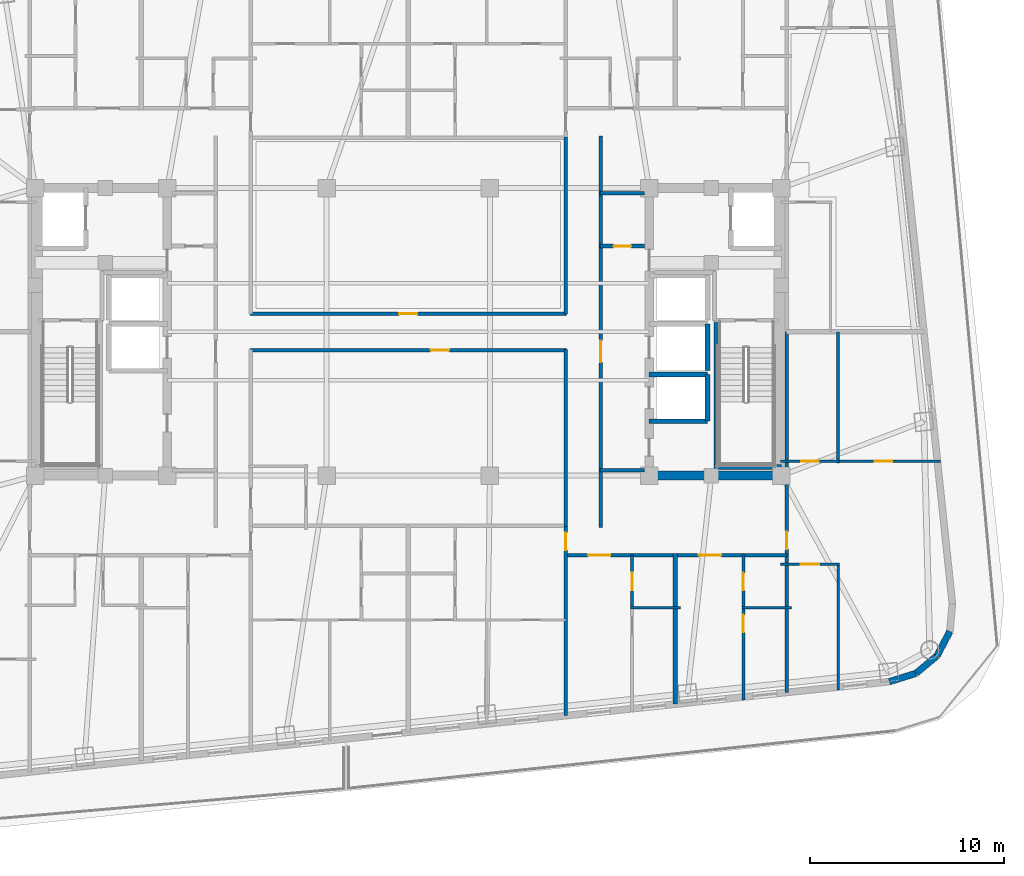
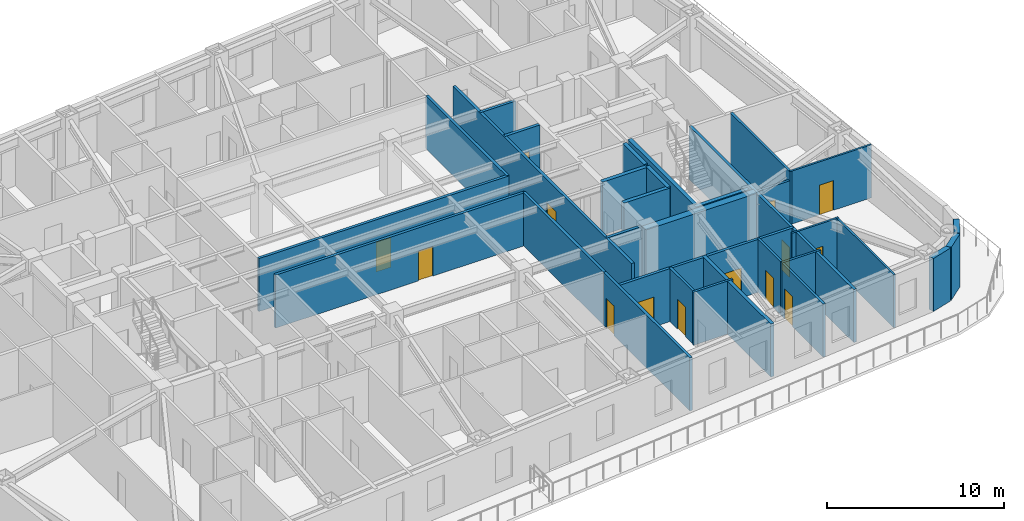
# One storey, part 6 of 15: 32 walls, 14 doors, 14 openings.
"""IFC4 building model written with IfcOpenShell, lengths in metres."""

from ifc_helpers import new_model, si_unit, direction, frame, frame_2d, origin, place, context, subcontext, project, spatial, rectangle, extrude, material, layer, layer_set, type_object, element, fill, save


model = new_model("IFC4")

# Units and contexts
model_context = context("Model", 3, precision=1e-05, world=origin(), true_north=direction((0.0, 1.0)))
body_context = subcontext(model_context, "Body", "Model", "MODEL_VIEW")
ifc_project = project(units=[si_unit("LENGTHUNIT", "METRE"), si_unit("AREAUNIT", "SQUARE_METRE"), si_unit("VOLUMEUNIT", "CUBIC_METRE"), si_unit("PLANEANGLEUNIT", "RADIAN"), si_unit("MASSUNIT", "GRAM", prefix="KILO")], contexts=[model_context])

# Site, building, storey
site_placement = place(None, origin())
site = spatial("IfcSite", under=ifc_project, at=site_placement, CompositionType="ELEMENT")
building_placement = place(site_placement, origin())
building = spatial("IfcBuilding", under=site, at=building_placement, Name="Voryun Gate Residences", CompositionType="ELEMENT")
storey_placement = place(building_placement, frame((0.0, 0.0, 171.60009765625)))
storey = spatial("IfcBuildingStorey", under=building, at=storey_placement, Name="L42", CompositionType="ELEMENT", Elevation=171.60009765625)

# Walls
ifc_material_1 = material(Name="Concrete C50/60", Category="concrete")
ifc_layer_1 = layer(ifc_material_1, 0.449951171875, Name="CW_CORE_450")
ifc_layer_set_1 = layer_set([ifc_layer_1], Name="Concrete C50/60")
wall_type_1 = type_object("IfcWallType", Name="CW_CORE_450", PredefinedType="SHEAR", material=ifc_layer_set_1)
wall_1_placement = place(storey_placement, frame((12.175048828125, -7.39990234375, 0.0), z_axis=(0.0, 0.0, 1.0), x_axis=(1.0, 0.0, 0.0)))
element("IfcWall", 1, at=wall_1_placement, inside=storey, type_object=wall_type_1, Name="L42 Core shear wall CW-L42-ES", PredefinedType="SHEAR", context=body_context, shape_type="SweptSolid", body=[
    extrude(rectangle(XDim=7.25, YDim=0.449951171875, at=frame_2d((3.625, 0.0))), origin(), (0.0, 0.0, 1.0), 3.64990234375),
])
ifc_material_2 = material(Name="Gypsum acoustic fireboard")
ifc_layer_2 = layer(ifc_material_2, 0.179931640625, Name="W_CORR_RATED_180")
ifc_layer_set_2 = layer_set([ifc_layer_2], Name="Gypsum acoustic fireboard")
wall_type_2 = type_object("IfcWallType", Name="W_CORR_RATED_180", PredefinedType="PARTITIONING", material=ifc_layer_set_2)
for number, where, z_axis, x_axis, name in (
    (2, (9.8798828125, 7.1201171875, 0.0), (0.0, 0.0, 1.0), (1.0, 0.0, 0.0), "Partition wall WP-L42-PLBN-E"),
    (3, (9.8798828125, -7.1201171875, 0.0), (0.0, 0.0, 1.0), (1.0, 0.0, 0.0), "Partition wall WP-L42-PLBS-E"),
):
    element("IfcWall", number, at=place(storey_placement, frame(where, z_axis=z_axis, x_axis=x_axis)), inside=storey, type_object=wall_type_2, Name=name, PredefinedType="PARTITIONING", context=body_context, shape_type="SweptSolid", body=[
        extrude(rectangle(XDim=2.27001953125, YDim=0.179931640625, at=frame_2d((1.135009765625, 0.0))), origin(), (0.0, 0.0, 1.0), 3.64990234375),
    ])

# Wall, opening, door
wall_2_placement = place(storey_placement, frame((9.89990234375, -10.080078125, 0.0), z_axis=(0.0, 0.0, 1.0), x_axis=(0.0, 1.0, 0.0)))
wall_2 = element("IfcWall", 4, at=wall_2_placement, inside=storey, type_object=wall_type_2, Name="Partition wall WP-L42-PLBE-FULL", PredefinedType="PARTITIONING", context=body_context, shape_type="SweptSolid", body=[
    extrude(rectangle(XDim=20.16015625, YDim=0.179931640625, at=frame_2d((10.080078125, 0.0))), origin(), (0.0, 0.0, 1.0), 3.64990234375),
])
opening_1_placement = place(wall_2_placement, frame((8.52197265625, 0.0, 0.0)))
opening_1 = element("IfcOpeningElement", 5, at=opening_1_placement, cuts=wall_2, Name="Opening D-FD60-2", PredefinedType="OPENING", context=body_context, shape_type="SweptSolid", body=[
    extrude(rectangle(XDim=1.10009765625, YDim=2.050048828125, at=frame_2d((0.550048828125, 1.02490234375))), frame((0.0, 0.099853515625, 0.0), z_axis=(0.0, -1.0, 0.0), x_axis=(1.0, 0.0, 0.0)), (0.0, 0.0, 1.0), 0.199951171875),
])
ifc_material_3 = material(Name="Painted steel fire door", Category="steel")
door_type_1 = type_object("IfcDoorType", Name="DR_FD60_FFLOB_1100", OperationType="NOTDEFINED", PredefinedType="DOOR", material=ifc_material_3)
door_1_placement = place(opening_1_placement, origin())
door_1 = element("IfcDoor", 6, at=door_1_placement, inside=storey, type_object=door_type_1, Name="Door DR-L42-PLBE-COR", OperationType="SINGLE_SWING_RIGHT", OverallHeight=2.050048828125, OverallWidth=1.10009765625, PredefinedType="DOOR", context=body_context, shape_type="SweptSolid", body=[
    extrude(rectangle(XDim=1.10009765625, YDim=2.050048828125, at=frame_2d((0.550048828125, 1.02490234375))), frame((0.0, 0.02490234375, 0.0), z_axis=(0.0, -1.0, 0.0), x_axis=(1.0, 0.0, 0.0)), (0.0, 0.0, 1.0), 0.050048828125),
])
fill(opening_1, door_1)

wall_3_placement = place(storey_placement, frame((-8.14990234375, 0.93994140625, 0.0), z_axis=(0.0, 0.0, 1.0), x_axis=(1.0, 0.0, 0.0)))
wall_3 = element("IfcWall", 7, at=wall_3_placement, inside=storey, type_object=wall_type_2, Name="Partition wall WP-L42-Z2HN", PredefinedType="PARTITIONING", context=body_context, shape_type="SweptSolid", body=[
    extrude(rectangle(XDim=16.2998046875, YDim=0.179931640625, at=frame_2d((8.14990234375, 0.0))), origin(), (0.0, 0.0, 1.0), 3.64990234375),
])
opening_2_placement = place(wall_3_placement, frame((7.675048828125, 0.0, 0.0)))
opening_2 = element("IfcOpeningElement", 8, at=opening_2_placement, cuts=wall_3, Name="Opening D-INT-1", PredefinedType="OPENING", context=body_context, shape_type="SweptSolid", body=[
    extrude(rectangle(XDim=0.949951171875, YDim=2.050048828125, at=frame_2d((0.47509765625, 1.02490234375))), frame((0.0, 0.099853515625, 0.0), z_axis=(0.0, -1.0, 0.0), x_axis=(1.0, 0.0, 0.0)), (0.0, 0.0, 1.0), 0.199951171875),
])
ifc_material_4 = material(Name="Architectural oak veneer")
door_type_2 = type_object("IfcDoorType", Name="DR_INT_ROOM_950", OperationType="NOTDEFINED", PredefinedType="DOOR", material=ifc_material_4)
door_2_placement = place(opening_2_placement, origin())
door_2 = element("IfcDoor", 9, at=door_2_placement, inside=storey, type_object=door_type_2, Name="Door DR-L42-Z2NH", OperationType="SINGLE_SWING_LEFT", OverallHeight=2.050048828125, OverallWidth=0.949951171875, PredefinedType="DOOR", context=body_context, shape_type="SweptSolid", body=[
    extrude(rectangle(XDim=0.949951171875, YDim=2.050048828125, at=frame_2d((0.47509765625, 1.02490234375))), frame((0.0, 0.02490234375, 0.0), z_axis=(0.0, -1.0, 0.0), x_axis=(1.0, 0.0, 0.0)), (0.0, 0.0, 1.0), 0.050048828125),
])
fill(opening_2, door_2)

wall_4_placement = place(storey_placement, frame((-8.14990234375, -0.93994140625, 0.0), z_axis=(0.0, 0.0, 1.0), x_axis=(1.0, 0.0, 0.0)))
wall_4 = element("IfcWall", 10, at=wall_4_placement, inside=storey, type_object=wall_type_2, Name="Partition wall WP-L42-Z2HS", PredefinedType="PARTITIONING", context=body_context, shape_type="SweptSolid", body=[
    extrude(rectangle(XDim=16.2998046875, YDim=0.179931640625, at=frame_2d((8.14990234375, 0.0))), origin(), (0.0, 0.0, 1.0), 3.64990234375),
])
opening_3_placement = place(wall_4_placement, frame((9.304931640625, 0.0, 0.0)))
opening_3 = element("IfcOpeningElement", 11, at=opening_3_placement, cuts=wall_4, Name="Opening D-INT-1", PredefinedType="OPENING", context=body_context, shape_type="SweptSolid", body=[
    extrude(rectangle(XDim=0.949951171875, YDim=2.050048828125, at=frame_2d((0.47509765625, 1.02490234375))), frame((0.0, 0.099853515625, 0.0), z_axis=(0.0, -1.0, 0.0), x_axis=(1.0, 0.0, 0.0)), (0.0, 0.0, 1.0), 0.199951171875),
])
door_3_placement = place(opening_3_placement, origin())
door_3 = element("IfcDoor", 12, at=door_3_placement, inside=storey, type_object=door_type_2, Name="Door DR-L42-Z2SH", OperationType="SINGLE_SWING_RIGHT", OverallHeight=2.050048828125, OverallWidth=0.949951171875, PredefinedType="DOOR", context=body_context, shape_type="SweptSolid", body=[
    extrude(rectangle(XDim=0.949951171875, YDim=2.050048828125, at=frame_2d((0.47509765625, 1.02490234375))), frame((0.0, 0.02490234375, 0.0), z_axis=(0.0, -1.0, 0.0), x_axis=(1.0, 0.0, 0.0)), (0.0, 0.0, 1.0), 0.050048828125),
])
fill(opening_3, door_3)

# Walls
for number, where, z_axis, x_axis, name in (
    (13, (8.10009765625, 0.919921875, 0.0), (0.0, 0.0, 1.0), (0.0, 1.0, 0.0), "Partition wall WP-L42-Z2ER1"),
    (14, (8.10009765625, -10.030029296875, 0.0), (0.0, 0.0, 1.0), (0.0, 1.0, 0.0), "Partition wall WP-L42-Z2ER2"),
):
    element("IfcWall", number, at=place(storey_placement, frame(where, z_axis=z_axis, x_axis=x_axis)), inside=storey, type_object=wall_type_2, Name=name, PredefinedType="PARTITIONING", context=body_context, shape_type="SweptSolid", body=[
        extrude(rectangle(XDim=9.110107421875, YDim=0.179931640625, at=frame_2d((4.55517578125, 0.0))), origin(), (0.0, 0.0, 1.0), 3.64990234375),
    ])

# Wall, openings, doors
wall_5_placement = place(storey_placement, frame((8.080078125, -11.5, 0.0), z_axis=(0.0, 0.0, 1.0), x_axis=(1.0, 0.0, 0.0)))
wall_5 = element("IfcWall", 15, at=wall_5_placement, inside=storey, type_object=wall_type_2, Name="Partition wall WP-L42-SCORR-E", PredefinedType="PARTITIONING", context=body_context, shape_type="SweptSolid", body=[
    extrude(rectangle(XDim=11.419921875, YDim=0.179931640625, at=frame_2d((5.7099609375, 0.0))), origin(), (0.0, 0.0, 1.0), 3.64990234375),
])
opening_4_placement = place(wall_5_placement, frame((1.174560546875, 0.0, 0.0)))
opening_4 = element("IfcOpeningElement", 16, at=opening_4_placement, cuts=wall_5, Name="Opening D-UNIT-1", PredefinedType="OPENING", context=body_context, shape_type="SweptSolid", body=[
    extrude(rectangle(XDim=1.14990234375, YDim=2.050048828125, at=frame_2d((0.574951171875, 1.02490234375))), frame((0.0, 0.099853515625, 0.0), z_axis=(0.0, -1.0, 0.0), x_axis=(1.0, 0.0, 0.0)), (0.0, 0.0, 1.0), 0.199951171875),
])
opening_5_placement = place(wall_5_placement, frame((6.86962890625, 0.0, 0.0)))
opening_5 = element("IfcOpeningElement", 17, at=opening_5_placement, cuts=wall_5, Name="Opening D-UNIT-1", PredefinedType="OPENING", context=body_context, shape_type="SweptSolid", body=[
    extrude(rectangle(XDim=1.14990234375, YDim=2.050048828125, at=frame_2d((0.574951171875, 1.02490234375))), frame((0.0, 0.099853515625, 0.0), z_axis=(0.0, -1.0, 0.0), x_axis=(1.0, 0.0, 0.0)), (0.0, 0.0, 1.0), 0.199951171875),
])
ifc_material_5 = material(Name="Armoured timber-clad fire door", Category="wood")
door_type_3 = type_object("IfcDoorType", Name="DR_UNIT_ENTRY_1150", OperationType="NOTDEFINED", PredefinedType="DOOR", material=ifc_material_5)
door_4_placement = place(opening_4_placement, origin())
door_4 = element("IfcDoor", 18, at=door_4_placement, inside=storey, type_object=door_type_3, Name="Door DR-L42-SENT-4", OperationType="SINGLE_SWING_LEFT", OverallHeight=2.050048828125, OverallWidth=1.14990234375, PredefinedType="DOOR", context=body_context, shape_type="SweptSolid", body=[
    extrude(rectangle(XDim=1.14990234375, YDim=2.050048828125, at=frame_2d((0.574951171875, 1.02490234375))), frame((0.0, 0.02490234375, 0.0), z_axis=(0.0, -1.0, 0.0), x_axis=(1.0, 0.0, 0.0)), (0.0, 0.0, 1.0), 0.050048828125),
])
fill(opening_4, door_4)
door_5_placement = place(opening_5_placement, origin())
door_5 = element("IfcDoor", 19, at=door_5_placement, inside=storey, type_object=door_type_3, Name="Door DR-L42-SENT-5", OperationType="SINGLE_SWING_RIGHT", OverallHeight=2.050048828125, OverallWidth=1.14990234375, PredefinedType="DOOR", context=body_context, shape_type="SweptSolid", body=[
    extrude(rectangle(XDim=1.14990234375, YDim=2.050048828125, at=frame_2d((0.574951171875, 1.02490234375))), frame((0.0, 0.02490234375, 0.0), z_axis=(0.0, -1.0, 0.0), x_axis=(1.0, 0.0, 0.0)), (0.0, 0.0, 1.0), 0.050048828125),
])
fill(opening_5, door_5)

# Wall, opening, door
wall_6_placement = place(storey_placement, frame((8.10009765625, -19.75390625, 0.0), z_axis=(0.0, 0.0, 1.0), x_axis=(0.0, 1.0, 0.0)))
wall_6 = element("IfcWall", 20, at=wall_6_placement, inside=storey, type_object=wall_type_2, Name="Partition wall WP-L42-SZV-2", PredefinedType="PARTITIONING", context=body_context, shape_type="SweptSolid", body=[
    extrude(rectangle(XDim=9.763916015625, YDim=0.179931640625, at=frame_2d((4.8818359375, 0.0))), origin(), (0.0, 0.0, 1.0), 3.64990234375),
])
opening_6_placement = place(wall_6_placement, frame((8.51416015625, 0.0, 0.0)))
opening_6 = element("IfcOpeningElement", 21, at=opening_6_placement, cuts=wall_6, Name="Opening D-INT-2", PredefinedType="OPENING", context=body_context, shape_type="SweptSolid", body=[
    extrude(rectangle(XDim=0.89990234375, YDim=2.050048828125, at=frame_2d((0.449951171875, 1.02490234375))), frame((0.0, 0.099853515625, 0.0), z_axis=(0.0, -1.0, 0.0), x_axis=(1.0, 0.0, 0.0)), (0.0, 0.0, 1.0), 0.199951171875),
])
ifc_material_6 = material(Name="Architectural oak veneer")
door_type_4 = type_object("IfcDoorType", Name="DR_INT_BATH_900", OperationType="NOTDEFINED", PredefinedType="DOOR", material=ifc_material_6)
door_6_placement = place(opening_6_placement, origin())
door_6 = element("IfcDoor", 22, at=door_6_placement, inside=storey, type_object=door_type_4, Name="Door DR-L42-SZENT-2", OperationType="SINGLE_SWING_RIGHT", OverallHeight=2.050048828125, OverallWidth=0.89990234375, PredefinedType="DOOR", context=body_context, shape_type="SweptSolid", body=[
    extrude(rectangle(XDim=0.89990234375, YDim=2.050048828125, at=frame_2d((0.449951171875, 1.02490234375))), frame((0.0, 0.02490234375, 0.0), z_axis=(0.0, -1.0, 0.0), x_axis=(1.0, 0.0, 0.0)), (0.0, 0.0, 1.0), 0.050048828125),
])
fill(opening_6, door_6)

wall_7_placement = place(storey_placement, frame((19.469970703125, -18.55859375, 0.0), z_axis=(0.0, 0.0, 1.0), x_axis=(0.0, 1.0, 0.0)))
wall_7 = element("IfcWall", 23, at=wall_7_placement, inside=storey, type_object=wall_type_2, Name="Partition wall WP-L42-ECOR1", PredefinedType="PARTITIONING", context=body_context, shape_type="SweptSolid", body=[
    extrude(rectangle(XDim=18.55859375, YDim=0.179931640625, at=frame_2d((9.279296875, 0.0))), origin(), (0.0, 0.0, 1.0), 3.64990234375),
])
opening_7_placement = place(wall_7_placement, frame((7.378173828125, 0.0, 0.0)))
opening_7 = element("IfcOpeningElement", 24, at=opening_7_placement, cuts=wall_7, Name="Opening D-INT-2", PredefinedType="OPENING", context=body_context, shape_type="SweptSolid", body=[
    extrude(rectangle(XDim=0.89990234375, YDim=2.050048828125, at=frame_2d((0.449951171875, 1.02490234375))), frame((0.0, 0.099853515625, 0.0), z_axis=(0.0, -1.0, 0.0), x_axis=(1.0, 0.0, 0.0)), (0.0, 0.0, 1.0), 0.199951171875),
])
door_7_placement = place(opening_7_placement, origin())
door_7 = element("IfcDoor", 25, at=door_7_placement, inside=storey, type_object=door_type_4, Name="Door DR-L42-EE1", OperationType="SINGLE_SWING_LEFT", OverallHeight=2.050048828125, OverallWidth=0.89990234375, PredefinedType="DOOR", context=body_context, shape_type="SweptSolid", body=[
    extrude(rectangle(XDim=0.89990234375, YDim=2.050048828125, at=frame_2d((0.449951171875, 1.02490234375))), frame((0.0, 0.02490234375, 0.0), z_axis=(0.0, -1.0, 0.0), x_axis=(1.0, 0.0, 0.0)), (0.0, 0.0, 1.0), 0.050048828125),
])
fill(opening_7, door_7)

# Walls
ifc_material_7 = material(Name="Charcoal terracotta masonry", Category="masonry")
ifc_layer_3 = layer(ifc_material_7, 0.340087890625, Name="W_EXT_TERRACOTTA_340")
ifc_layer_set_3 = layer_set([ifc_layer_3], Name="Charcoal terracotta masonry")
wall_type_3 = type_object("IfcWallType", Name="W_EXT_TERRACOTTA_340", PredefinedType="ELEMENTEDWALL", material=ifc_layer_set_3)
for number, where, z_axis, x_axis, name in (
    (26, (27.8701171875, -15.42138671875, 0.0), (0.0, 0.0, 1.0), (-0.465682431293, -0.884951904447, 0.0), "Exterior wall WEXT-L42-18"),
    (27, (27.211181640625, -16.673583984375, 0.0), (0.0, 0.0, 1.0), (-0.768758372808, -0.639539337522, 0.0), "Exterior wall WEXT-L42-19"),
):
    element("IfcWall", number, at=place(storey_placement, frame(where, z_axis=z_axis, x_axis=x_axis)), inside=storey, type_object=wall_type_3, Name=name, PredefinedType="ELEMENTEDWALL", context=body_context, shape_type="SweptSolid", body=[
        extrude(rectangle(XDim=1.4150390625, YDim=0.340087890625, at=frame_2d((0.70751953125, 0.0))), origin(), (0.0, 0.0, 1.0), 3.64990234375),
    ])
wall_8_placement = place(storey_placement, frame((26.123291015625, -17.57861328125, 0.0), z_axis=(0.0, 0.0, 1.0), x_axis=(-0.955042500381, -0.296468923271, 0.0)))
element("IfcWall", 28, at=wall_8_placement, inside=storey, type_object=wall_type_3, Name="Exterior wall WEXT-L42-20", PredefinedType="ELEMENTEDWALL", context=body_context, shape_type="SweptSolid", body=[
    extrude(rectangle(XDim=1.43212890625, YDim=0.340087890625, at=frame_2d((0.716064453125, 0.0))), origin(), (0.0, 0.0, 1.0), 3.64990234375),
])

# Wall, opening, door
ifc_material_8 = material(Name="Concrete C40/50", Category="concrete")
ifc_layer_4 = layer(ifc_material_8, 0.199951171875, Name="W_FF_LOBBY_200")
ifc_layer_set_4 = layer_set([ifc_layer_4], Name="Concrete C40/50")
wall_type_4 = type_object("IfcWallType", Name="W_FF_LOBBY_200", PredefinedType="PARTITIONING", material=ifc_layer_set_4)
wall_9_placement = place(storey_placement, frame((9.8798828125, 4.409912109375, 0.0), z_axis=(0.0, 0.0, 1.0), x_axis=(1.0, 0.0, 0.0)))
wall_9 = element("IfcWall", 29, at=wall_9_placement, inside=storey, type_object=wall_type_4, Name="Partition wall WP-L42-CSFLKS-E", PredefinedType="PARTITIONING", context=body_context, shape_type="SweptSolid", body=[
    extrude(rectangle(XDim=2.27001953125, YDim=0.199951171875, at=frame_2d((1.135009765625, 0.0))), origin(), (0.0, 0.0, 1.0), 3.64990234375),
])
opening_8_placement = place(wall_9_placement, frame((0.68505859375, 0.0, 0.0)))
opening_8 = element("IfcOpeningElement", 30, at=opening_8_placement, cuts=wall_9, Name="Opening D-FD60-4", PredefinedType="OPENING", context=body_context, shape_type="SweptSolid", body=[
    extrude(rectangle(XDim=0.89990234375, YDim=2.050048828125, at=frame_2d((0.449951171875, 1.02490234375))), frame((0.0, 0.110107421875, 0.0), z_axis=(0.0, -1.0, 0.0), x_axis=(1.0, 0.0, 0.0)), (0.0, 0.0, 1.0), 0.219970703125),
])
ifc_material_9 = material(Name="Painted steel fire door", Category="steel")
door_type_5 = type_object("IfcDoorType", Name="DR_FD60_RISER_900", OperationType="NOTDEFINED", PredefinedType="DOOR", material=ifc_material_9)
door_8_placement = place(opening_8_placement, origin())
door_8 = element("IfcDoor", 31, at=door_8_placement, inside=storey, type_object=door_type_5, Name="Door DR-L42-CSFLK-E", OperationType="SINGLE_SWING_RIGHT", OverallHeight=2.050048828125, OverallWidth=0.89990234375, PredefinedType="DOOR", context=body_context, shape_type="SweptSolid", body=[
    extrude(rectangle(XDim=0.89990234375, YDim=2.050048828125, at=frame_2d((0.449951171875, 1.02490234375))), frame((0.0, 0.02490234375, 0.0), z_axis=(0.0, -1.0, 0.0), x_axis=(1.0, 0.0, 0.0)), (0.0, 0.0, 1.0), 0.050048828125),
])
fill(opening_8, door_8)

# Walls
ifc_material_10 = material(Name="Concrete C40/50", Category="concrete")
ifc_layer_5 = layer(ifc_material_10, 0.219970703125, Name="W_PARTY_ACOUSTIC_220")
ifc_layer_set_5 = layer_set([ifc_layer_5], Name="Concrete C40/50")
wall_type_5 = type_object("IfcWallType", Name="W_PARTY_ACOUSTIC_220", PredefinedType="PARTITIONING", material=ifc_layer_set_5)
wall_10_placement = place(storey_placement, frame((13.739990234375, -19.160888671875, 0.0), z_axis=(0.0, 0.0, 1.0), x_axis=(0.0, 1.0, 0.0)))
element("IfcWall", 32, at=wall_10_placement, inside=storey, type_object=wall_type_5, Name="Partition wall WP-L42-SPTY-4", PredefinedType="PARTITIONING", context=body_context, shape_type="SweptSolid", body=[
    extrude(rectangle(XDim=7.740966796875, YDim=0.219970703125, at=frame_2d((3.87060546875, 0.0))), origin(), (0.0, 0.0, 1.0), 3.64990234375),
])
ifc_material_11 = material(Name="Concrete C50/60", Category="concrete")
ifc_layer_6 = layer(ifc_material_11, 0.25, Name="W_SHAFT_RC250")
ifc_layer_set_6 = layer_set([ifc_layer_6], Name="Concrete C50/60")
wall_type_6 = type_object("IfcWallType", Name="W_SHAFT_RC250", PredefinedType="SOLIDWALL", material=ifc_layer_set_6)
wall_11_placement = place(storey_placement, frame((15.860107421875, -7.0849609375, 0.0), z_axis=(0.0, 0.0, 1.0), x_axis=(0.0, 1.0, 0.0)))
element("IfcWall", 33, at=wall_11_placement, inside=storey, type_object=wall_type_6, Name="L42 Stair shaft structural wall E-STL", PredefinedType="SOLIDWALL", context=body_context, shape_type="SweptSolid", body=[
    extrude(rectangle(XDim=7.68505859375, YDim=0.25, at=frame_2d((3.842529296875, 0.0))), origin(), (0.0, 0.0, 1.0), 3.64990234375),
])
wall_12_placement = place(storey_placement, frame((15.739990234375, -6.965087890625, 0.0), z_axis=(0.0, 0.0, 1.0), x_axis=(1.0, 0.0, 0.0)))
element("IfcWall", 34, at=wall_12_placement, inside=storey, type_object=wall_type_6, Name="L42 Stair shaft structural wall E-STS", PredefinedType="SOLIDWALL", context=body_context, shape_type="SweptSolid", body=[
    extrude(rectangle(XDim=3.4599609375, YDim=0.25, at=frame_2d((1.72998046875, 0.0))), origin(), (0.0, 0.0, 1.0), 3.64990234375),
])
wall_13_placement = place(storey_placement, frame((12.39990234375, -4.60009765625, 0.0), z_axis=(0.0, 0.0, 1.0), x_axis=(1.0, 0.0, 0.0)))
element("IfcWall", 35, at=wall_13_placement, inside=storey, type_object=wall_type_6, Name="Lift shaft wall WSH-L42-EL-P5-S", PredefinedType="SOLIDWALL", context=body_context, shape_type="SweptSolid", body=[
    extrude(rectangle(XDim=3.0, YDim=0.25, at=frame_2d((1.5, 0.0))), origin(), (0.0, 0.0, 1.0), 3.64990234375),
])
wall_14_placement = place(storey_placement, frame((15.39990234375, -4.60009765625, 0.0), z_axis=(0.0, 0.0, 1.0), x_axis=(0.0, 1.0, 0.0)))
element("IfcWall", 36, at=wall_14_placement, inside=storey, type_object=wall_type_6, Name="Lift shaft wall WSH-L42-EL-P5-E", PredefinedType="SOLIDWALL", context=body_context, shape_type="SweptSolid", body=[
    extrude(rectangle(XDim=2.400146484375, YDim=0.25, at=frame_2d((1.2001953125, 0.0))), origin(), (0.0, 0.0, 1.0), 3.64990234375),
])
wall_15_placement = place(storey_placement, frame((15.39990234375, -2.199951171875, 0.0), z_axis=(0.0, 0.0, 1.0), x_axis=(-1.0, 0.0, 0.0)))
element("IfcWall", 37, at=wall_15_placement, inside=storey, type_object=wall_type_6, Name="Lift shaft wall WSH-L42-EL-P5-N", PredefinedType="SOLIDWALL", context=body_context, shape_type="SweptSolid", body=[
    extrude(rectangle(XDim=3.0, YDim=0.25, at=frame_2d((1.5, 0.0))), origin(), (0.0, 0.0, 1.0), 3.64990234375),
])
wall_16_placement = place(storey_placement, frame((15.39990234375, -2.0, 0.0), z_axis=(0.0, 0.0, 1.0), x_axis=(0.0, 1.0, 0.0)))
element("IfcWall", 38, at=wall_16_placement, inside=storey, type_object=wall_type_6, Name="Lift shaft wall WSH-L42-EL-P6-E", PredefinedType="SOLIDWALL", context=body_context, shape_type="SweptSolid", body=[
    extrude(rectangle(XDim=2.39990234375, YDim=0.25, at=frame_2d((1.199951171875, 0.0))), origin(), (0.0, 0.0, 1.0), 3.64990234375),
])

# Wall, opening, door
ifc_material_12 = material(Name="Gypsum acoustic partition")
ifc_layer_7 = layer(ifc_material_12, 0.125, Name="W_UNIT_PART_125")
ifc_layer_set_7 = layer_set([ifc_layer_7], Name="Gypsum acoustic partition")
wall_type_7 = type_object("IfcWallType", Name="W_UNIT_PART_125", PredefinedType="PARTITIONING", material=ifc_layer_set_7)
wall_17_placement = place(storey_placement, frame((22.06005859375, -6.659912109375, 0.0), z_axis=(0.0, 0.0, 1.0), x_axis=(1.0, 0.0, 0.0)))
wall_17 = element("IfcWall", 39, at=wall_17_placement, inside=storey, type_object=wall_type_7, Name="Partition wall WP-L42-E1-OHZ", PredefinedType="PARTITIONING", context=body_context, shape_type="SweptSolid", body=[
    extrude(rectangle(XDim=5.321044921875, YDim=0.125, at=frame_2d((2.66064453125, 0.0))), origin(), (0.0, 0.0, 1.0), 3.64990234375),
])
opening_9_placement = place(wall_17_placement, frame((1.944580078125, 0.0, 0.0)))
opening_9 = element("IfcOpeningElement", 40, at=opening_9_placement, cuts=wall_17, Name="Opening D-INT-2", PredefinedType="OPENING", context=body_context, shape_type="SweptSolid", body=[
    extrude(rectangle(XDim=0.89990234375, YDim=2.050048828125, at=frame_2d((0.449951171875, 1.02490234375))), frame((0.0, 0.072509765625, 0.0), z_axis=(0.0, -1.0, 0.0), x_axis=(1.0, 0.0, 0.0)), (0.0, 0.0, 1.0), 0.14501953125),
])
door_9_placement = place(opening_9_placement, origin())
door_9 = element("IfcDoor", 41, at=door_9_placement, inside=storey, type_object=door_type_4, Name="Door DR-L42-E1-DMB", OperationType="SINGLE_SWING_LEFT", OverallHeight=2.050048828125, OverallWidth=0.89990234375, PredefinedType="DOOR", context=body_context, shape_type="SweptSolid", body=[
    extrude(rectangle(XDim=0.89990234375, YDim=2.050048828125, at=frame_2d((0.449951171875, 1.02490234375))), frame((0.0, 0.02490234375, 0.0), z_axis=(0.0, -1.0, 0.0), x_axis=(1.0, 0.0, 0.0)), (0.0, 0.0, 1.0), 0.050048828125),
])
fill(opening_9, door_9)

wall_18_placement = place(storey_placement, frame((19.14990234375, -11.966064453125, 0.0), z_axis=(0.0, 0.0, 1.0), x_axis=(1.0, 0.0, 0.0)))
wall_18 = element("IfcWall", 42, at=wall_18_placement, inside=storey, type_object=wall_type_7, Name="Partition wall WP-L42-E1-IKA", PredefinedType="PARTITIONING", context=body_context, shape_type="SweptSolid", body=[
    extrude(rectangle(XDim=3.050048828125, YDim=0.125, at=frame_2d((1.52490234375, 0.0))), origin(), (0.0, 0.0, 1.0), 3.64990234375),
])
opening_10_placement = place(wall_18_placement, frame((1.050048828125, 0.0, 0.0)))
opening_10 = element("IfcOpeningElement", 43, at=opening_10_placement, cuts=wall_18, Name="Opening D-INT-1", PredefinedType="OPENING", context=body_context, shape_type="SweptSolid", body=[
    extrude(rectangle(XDim=0.949951171875, YDim=2.050048828125, at=frame_2d((0.47509765625, 1.02490234375))), frame((0.0, 0.072509765625, 0.0), z_axis=(0.0, -1.0, 0.0), x_axis=(1.0, 0.0, 0.0)), (0.0, 0.0, 1.0), 0.14501953125),
])
door_10_placement = place(opening_10_placement, origin())
door_10 = element("IfcDoor", 44, at=door_10_placement, inside=storey, type_object=door_type_2, Name="Door DR-L42-E1-DK", OperationType="SINGLE_SWING_LEFT", OverallHeight=2.050048828125, OverallWidth=0.949951171875, PredefinedType="DOOR", context=body_context, shape_type="SweptSolid", body=[
    extrude(rectangle(XDim=0.949951171875, YDim=2.050048828125, at=frame_2d((0.47509765625, 1.02490234375))), frame((0.0, 0.02490234375, 0.0), z_axis=(0.0, -1.0, 0.0), x_axis=(1.0, 0.0, 0.0)), (0.0, 0.0, 1.0), 0.050048828125),
])
fill(opening_10, door_10)

# Walls
wall_19_placement = place(storey_placement, frame((22.1201171875, -18.430908203125, 0.0), z_axis=(0.0, 0.0, 1.0), x_axis=(0.0, 1.0, 0.0)))
element("IfcWall", 45, at=wall_19_placement, inside=storey, type_object=wall_type_7, Name="Partition wall WP-L42-E1-VTA", PredefinedType="PARTITIONING", context=body_context, shape_type="SweptSolid", body=[
    extrude(rectangle(XDim=6.544921875, YDim=0.125, at=frame_2d((3.2724609375, 0.0))), origin(), (0.0, 0.0, 1.0), 3.64990234375),
])
ifc_material_13 = material(Name="Gypsum moisture-resistant partition")
ifc_layer_8 = layer(ifc_material_13, 0.14990234375, Name="W_WET_PLUMB_150")
ifc_layer_set_8 = layer_set([ifc_layer_8], Name="Gypsum moisture-resistant partition")
wall_type_8 = type_object("IfcWallType", Name="W_WET_PLUMB_150", PredefinedType="PLUMBINGWALL", material=ifc_layer_set_8)
wall_20_placement = place(storey_placement, frame((11.43896484375, -14.199951171875, 0.0), z_axis=(0.0, 0.0, 1.0), x_axis=(1.0, 0.0, 0.0)))
element("IfcWall", 46, at=wall_20_placement, inside=storey, type_object=wall_type_8, Name="Partition wall WP-L42-S4-SKB", PredefinedType="PLUMBINGWALL", context=body_context, shape_type="SweptSolid", body=[
    extrude(rectangle(XDim=2.56103515625, YDim=0.14990234375, at=frame_2d((1.280517578125, 0.0))), origin(), (0.0, 0.0, 1.0), 3.64990234375),
])

# Wall, opening, door
wall_21_placement = place(storey_placement, frame((11.51904296875, -14.239990234375, 0.0), z_axis=(0.0, 0.0, 1.0), x_axis=(0.0, 1.0, 0.0)))
wall_21 = element("IfcWall", 47, at=wall_21_placement, inside=storey, type_object=wall_type_8, Name="Partition wall WP-L42-S4-SVT2", PredefinedType="PLUMBINGWALL", context=body_context, shape_type="SweptSolid", body=[
    extrude(rectangle(XDim=2.760009765625, YDim=0.14990234375, at=frame_2d((1.3798828125, 0.0))), origin(), (0.0, 0.0, 1.0), 3.64990234375),
])
opening_11_placement = place(wall_21_placement, frame((0.929931640625, 0.0, 0.0)))
opening_11 = element("IfcOpeningElement", 48, at=opening_11_placement, cuts=wall_21, Name="Opening D-INT-2", PredefinedType="OPENING", context=body_context, shape_type="SweptSolid", body=[
    extrude(rectangle(XDim=0.89990234375, YDim=2.050048828125, at=frame_2d((0.449951171875, 1.02490234375))), frame((0.0, 0.0849609375, 0.0), z_axis=(0.0, -1.0, 0.0), x_axis=(1.0, 0.0, 0.0)), (0.0, 0.0, 1.0), 0.169921875),
])
door_11_placement = place(opening_11_placement, origin())
door_11 = element("IfcDoor", 49, at=door_11_placement, inside=storey, type_object=door_type_4, Name="Door DR-L42-S4-DB", OperationType="SINGLE_SWING_RIGHT", OverallHeight=2.050048828125, OverallWidth=0.89990234375, PredefinedType="DOOR", context=body_context, shape_type="SweptSolid", body=[
    extrude(rectangle(XDim=0.89990234375, YDim=2.050048828125, at=frame_2d((0.449951171875, 1.02490234375))), frame((0.0, 0.02490234375, 0.0), z_axis=(0.0, -1.0, 0.0), x_axis=(1.0, 0.0, 0.0)), (0.0, 0.0, 1.0), 0.050048828125),
])
fill(opening_11, door_11)

# Wall
wall_22_placement = place(storey_placement, frame((17.169921875, -14.199951171875, 0.0), z_axis=(0.0, 0.0, 1.0), x_axis=(1.0, 0.0, 0.0)))
element("IfcWall", 50, at=wall_22_placement, inside=storey, type_object=wall_type_8, Name="Partition wall WP-L42-S5-SKB", PredefinedType="PLUMBINGWALL", context=body_context, shape_type="SweptSolid", body=[
    extrude(rectangle(XDim=2.550048828125, YDim=0.14990234375, at=frame_2d((1.27490234375, 0.0))), origin(), (0.0, 0.0, 1.0), 3.64990234375),
])

# Wall, opening, door
wall_23_placement = place(storey_placement, frame((17.25, -18.94287109375, 0.0), z_axis=(0.0, 0.0, 1.0), x_axis=(0.0, 1.0, 0.0)))
wall_23 = element("IfcWall", 51, at=wall_23_placement, inside=storey, type_object=wall_type_8, Name="Partition wall WP-L42-S5-SVT1", PredefinedType="PLUMBINGWALL", context=body_context, shape_type="SweptSolid", body=[
    extrude(rectangle(XDim=4.782958984375, YDim=0.14990234375, at=frame_2d((2.3916015625, 0.0))), origin(), (0.0, 0.0, 1.0), 3.64990234375),
])
opening_12_placement = place(wall_23_placement, frame((3.471923828125, 0.0, 0.0)))
opening_12 = element("IfcOpeningElement", 52, at=opening_12_placement, cuts=wall_23, Name="Opening D-INT-2", PredefinedType="OPENING", context=body_context, shape_type="SweptSolid", body=[
    extrude(rectangle(XDim=0.89990234375, YDim=2.050048828125, at=frame_2d((0.449951171875, 1.02490234375))), frame((0.0, 0.0849609375, 0.0), z_axis=(0.0, -1.0, 0.0), x_axis=(1.0, 0.0, 0.0)), (0.0, 0.0, 1.0), 0.169921875),
])
door_12_placement = place(opening_12_placement, origin())
door_12 = element("IfcDoor", 53, at=door_12_placement, inside=storey, type_object=door_type_4, Name="Door DR-L42-S5-DK", OperationType="SINGLE_SWING_LEFT", OverallHeight=2.050048828125, OverallWidth=0.89990234375, PredefinedType="DOOR", context=body_context, shape_type="SweptSolid", body=[
    extrude(rectangle(XDim=0.89990234375, YDim=2.050048828125, at=frame_2d((0.449951171875, 1.02490234375))), frame((0.0, 0.02490234375, 0.0), z_axis=(0.0, -1.0, 0.0), x_axis=(1.0, 0.0, 0.0)), (0.0, 0.0, 1.0), 0.050048828125),
])
fill(opening_12, door_12)

wall_24_placement = place(storey_placement, frame((17.25, -14.239990234375, 0.0), z_axis=(0.0, 0.0, 1.0), x_axis=(0.0, 1.0, 0.0)))
wall_24 = element("IfcWall", 54, at=wall_24_placement, inside=storey, type_object=wall_type_8, Name="Partition wall WP-L42-S5-SVT2", PredefinedType="PLUMBINGWALL", context=body_context, shape_type="SweptSolid", body=[
    extrude(rectangle(XDim=2.760009765625, YDim=0.14990234375, at=frame_2d((1.3798828125, 0.0))), origin(), (0.0, 0.0, 1.0), 3.64990234375),
])
opening_13_placement = place(wall_24_placement, frame((0.929931640625, 0.0, 0.0)))
opening_13 = element("IfcOpeningElement", 55, at=opening_13_placement, cuts=wall_24, Name="Opening D-INT-2", PredefinedType="OPENING", context=body_context, shape_type="SweptSolid", body=[
    extrude(rectangle(XDim=0.89990234375, YDim=2.050048828125, at=frame_2d((0.449951171875, 1.02490234375))), frame((0.0, 0.0849609375, 0.0), z_axis=(0.0, -1.0, 0.0), x_axis=(1.0, 0.0, 0.0)), (0.0, 0.0, 1.0), 0.169921875),
])
door_13_placement = place(opening_13_placement, origin())
door_13 = element("IfcDoor", 56, at=door_13_placement, inside=storey, type_object=door_type_4, Name="Door DR-L42-S5-DB", OperationType="SINGLE_SWING_RIGHT", OverallHeight=2.050048828125, OverallWidth=0.89990234375, PredefinedType="DOOR", context=body_context, shape_type="SweptSolid", body=[
    extrude(rectangle(XDim=0.89990234375, YDim=2.050048828125, at=frame_2d((0.449951171875, 1.02490234375))), frame((0.0, 0.02490234375, 0.0), z_axis=(0.0, -1.0, 0.0), x_axis=(1.0, 0.0, 0.0)), (0.0, 0.0, 1.0), 0.050048828125),
])
fill(opening_13, door_13)

wall_25_placement = place(storey_placement, frame((19.14990234375, -6.659912109375, 0.0), z_axis=(0.0, 0.0, 1.0), x_axis=(1.0, 0.0, 0.0)))
wall_25 = element("IfcWall", 57, at=wall_25_placement, inside=storey, type_object=wall_type_8, Name="Partition wall WP-L42-E1-IBB", PredefinedType="PLUMBINGWALL", context=body_context, shape_type="SweptSolid", body=[
    extrude(rectangle(XDim=3.050048828125, YDim=0.14990234375, at=frame_2d((1.52490234375, 0.0))), origin(), (0.0, 0.0, 1.0), 3.039794921875),
])
opening_14_placement = place(wall_25_placement, frame((1.074951171875, 0.0, 0.0)))
opening_14 = element("IfcOpeningElement", 58, at=opening_14_placement, cuts=wall_25, Name="Opening D-INT-2", PredefinedType="OPENING", context=body_context, shape_type="SweptSolid", body=[
    extrude(rectangle(XDim=0.89990234375, YDim=2.050048828125, at=frame_2d((0.449951171875, 1.02490234375))), frame((0.0, 0.0849609375, 0.0), z_axis=(0.0, -1.0, 0.0), x_axis=(1.0, 0.0, 0.0)), (0.0, 0.0, 1.0), 0.169921875),
])
door_14_placement = place(opening_14_placement, origin())
door_14 = element("IfcDoor", 59, at=door_14_placement, inside=storey, type_object=door_type_4, Name="Door DR-L42-E1-DB", OperationType="SINGLE_SWING_RIGHT", OverallHeight=2.050048828125, OverallWidth=0.89990234375, PredefinedType="DOOR", context=body_context, shape_type="SweptSolid", body=[
    extrude(rectangle(XDim=0.89990234375, YDim=2.050048828125, at=frame_2d((0.449951171875, 1.02490234375))), frame((0.0, 0.02490234375, 0.0), z_axis=(0.0, -1.0, 0.0), x_axis=(1.0, 0.0, 0.0)), (0.0, 0.0, 1.0), 0.050048828125),
])
fill(opening_14, door_14)

# Wall
wall_26_placement = place(storey_placement, frame((22.1201171875, -6.739990234375, 0.0), z_axis=(0.0, 0.0, 1.0), x_axis=(0.0, 1.0, 0.0)))
element("IfcWall", 60, at=wall_26_placement, inside=storey, type_object=wall_type_8, Name="Partition wall WP-L42-E1-VTB", PredefinedType="PLUMBINGWALL", context=body_context, shape_type="SweptSolid", body=[
    extrude(rectangle(XDim=6.719970703125, YDim=0.14990234375, at=frame_2d((3.35986328125, 0.0))), origin(), (0.0, 0.0, 1.0), 3.64990234375),
])

save(model, "model.ifc")
